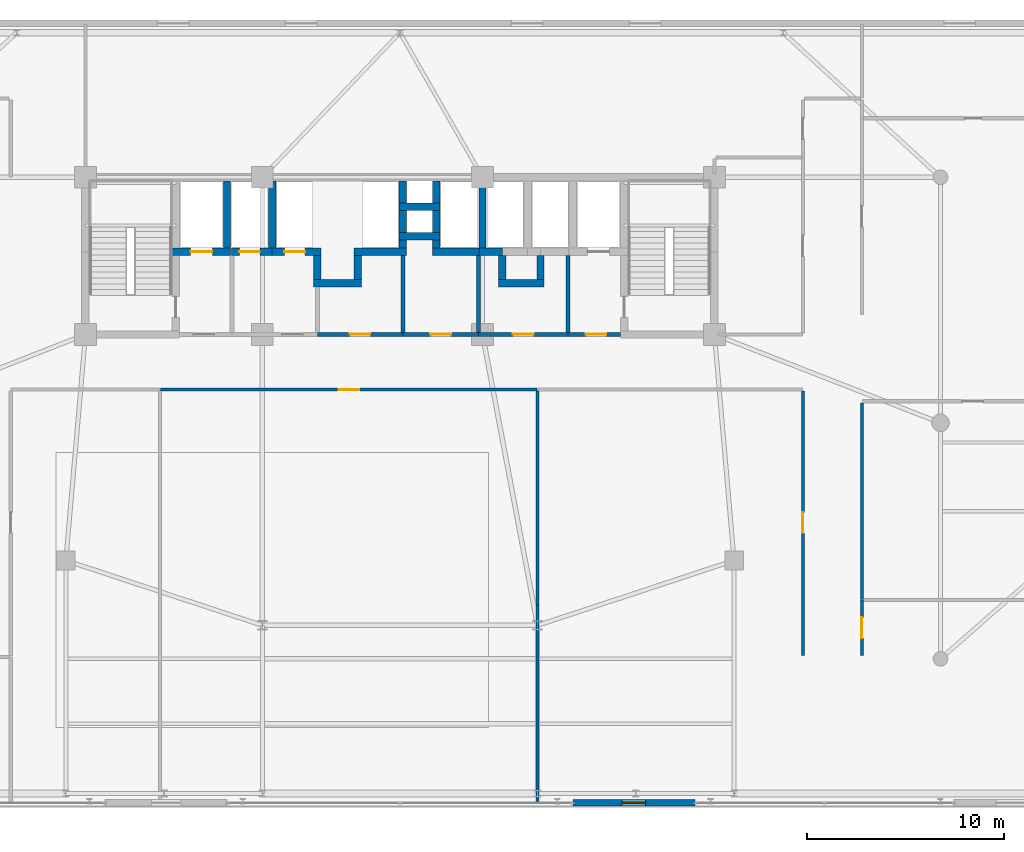
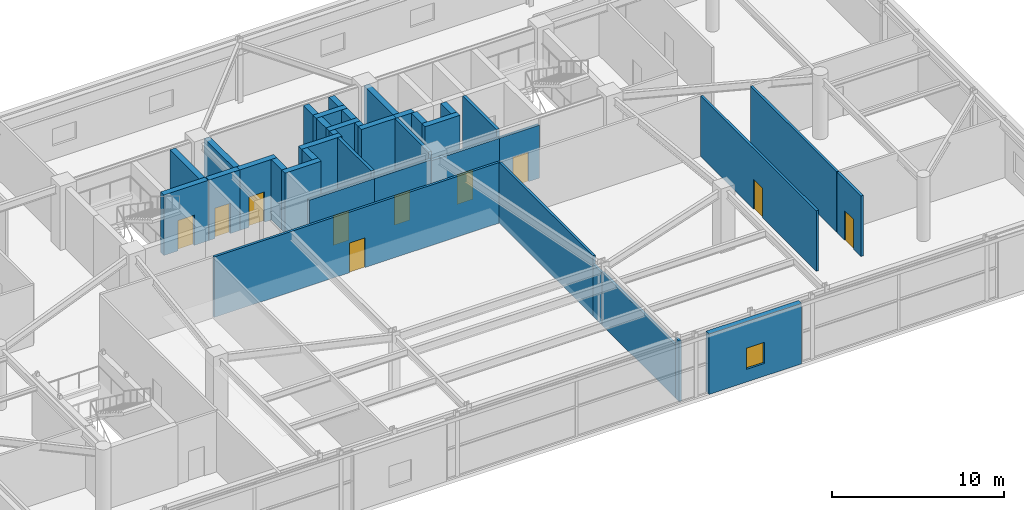
# One storey, part 21 of 26: 39 walls, 10 doors, 1 window, 11 openings.
"""IFC4 building model written with IfcOpenShell, lengths in metres."""

from ifc_helpers import new_model, si_unit, direction, frame, frame_2d, origin, place, context, subcontext, project, spatial, rectangle, extrude, source, transform, mapped, material, layer, layer_set, type_object, element, fill, save


model = new_model("IFC4")

# Units and contexts
model_context = context("Model", 3, precision=1e-05, world=origin(), true_north=direction((0.0, 1.0)))
body_context = subcontext(model_context, "Body", "Model", "MODEL_VIEW")
ifc_project = project(units=[si_unit("LENGTHUNIT", "METRE"), si_unit("AREAUNIT", "SQUARE_METRE"), si_unit("VOLUMEUNIT", "CUBIC_METRE"), si_unit("PLANEANGLEUNIT", "RADIAN"), si_unit("MASSUNIT", "GRAM", prefix="KILO")], contexts=[model_context])

# Site, building, storey
site_placement = place(None, origin())
site = spatial("IfcSite", under=ifc_project, at=site_placement, CompositionType="ELEMENT")
building_placement = place(site_placement, origin())
building = spatial("IfcBuilding", under=site, at=building_placement, Name="Taldren Reach Tower", CompositionType="ELEMENT")
storey_placement = place(building_placement, frame((0.0, 0.0, 8.39990234375)))
storey = spatial("IfcBuildingStorey", under=building, at=storey_placement, Name="L02", CompositionType="ELEMENT", Elevation=8.39990234375)

# Wall, opening, window
ifc_material_1 = material(Name="Pale Champagne Anodised Aluminium Cladding", Category="aluminium")
ifc_layer_1 = layer(ifc_material_1, 0.04, Name="Pale Champagne Anodised Aluminium Cladding", Category="aluminium")
ifc_material_2 = material(Name="Mineral Wool Thermal Insulation", Category="insulation")
ifc_layer_2 = layer(ifc_material_2, 0.08, Name="Mineral Wool Thermal Insulation", Category="insulation")
ifc_material_3 = material(Name="Concrete S50 (50 MPa)", Category="concrete")
ifc_layer_3 = layer(ifc_material_3, 0.22, Name="Concrete S50 (50 MPa)", Category="concrete")
ifc_layer_set_1 = layer_set([ifc_layer_1, ifc_layer_2, ifc_layer_3], Name="Pale Champagne Aluminium Cladding and Precast Concrete 50 MPa (S50)")
wall_type_1 = type_object("IfcWallType", Name="EW-POD-340", PredefinedType="SOLIDWALL", material=ifc_layer_set_1)
shared_shape_1 = source(origin(), body_context, "Body", "SweptSolid", [
    extrude(rectangle(XDim=6.199951171875, YDim=0.340087890625, at=frame_2d((3.10009765625, 0.0))), origin(), (0.0, 0.0, 1.0), 4.2900390625),
])
wall_1_placement = place(storey_placement, frame((43.800048828125, 0.169921875, 0.0), z_axis=(0.0, 0.0, 1.0), x_axis=(1.0, 0.0, 0.0)))
wall_1 = element("IfcWall", 1, at=wall_1_placement, inside=storey, type_object=wall_type_1, Name="Podium south facade wall L02-S3", PredefinedType="SOLIDWALL", context=body_context, shape_type="MappedRepresentation", body=[
    mapped(shared_shape_1, transform((0.0, 0.0, 0.0), scale=1.0)),
])
shared_shape_2 = source(origin(), body_context, "Body", "SweptSolid", [
    extrude(rectangle(XDim=1.199951171875, YDim=1.5, at=frame_2d((0.60009765625, 0.75))), frame((0.0, 0.18017578125, 0.0), z_axis=(0.0, -1.0, 0.0), x_axis=(1.0, 0.0, 0.0)), (0.0, 0.0, 1.0), 0.360107421875),
])
opening_1_placement = place(wall_1_placement, frame((2.5, 0.0, 0.89990234375)))
opening_1 = element("IfcOpeningElement", 2, at=opening_1_placement, cuts=wall_1, Name="Opening W-1215", PredefinedType="OPENING", context=body_context, shape_type="MappedRepresentation", body=[
    mapped(shared_shape_2, transform((0.0, 0.0, 0.0), scale=1.0)),
])
ifc_material_4 = material(Name="Thermally Broken Aluminium and Low-E IGU", Category="aluminium")
window_type = type_object("IfcWindowType", Name="WN-POD-1200", PartitioningType="SINGLE_PANEL", PredefinedType="WINDOW", material=ifc_material_4)
shared_shape_3 = source(origin(), body_context, "Body", "SweptSolid", [
    extrude(rectangle(XDim=1.199951171875, YDim=1.5, at=frame_2d((0.60009765625, 0.75))), frame((0.0, 0.030029296875, 0.0), z_axis=(0.0, -1.0, 0.0), x_axis=(1.0, 0.0, 0.0)), (0.0, 0.0, 1.0), 0.06005859375),
])
window_placement = place(opening_1_placement, origin())
window = element("IfcWindow", 3, at=window_placement, inside=storey, type_object=window_type, Name="Podium clinical window L02-S3", OverallHeight=1.5, OverallWidth=1.199951171875, PartitioningType="SINGLE_PANEL", PredefinedType="WINDOW", context=body_context, shape_type="MappedRepresentation", body=[
    mapped(shared_shape_3, transform((0.0, 0.0, 0.0), scale=1.0)),
])
fill(opening_1, window)

# Walls
ifc_material_5 = material(Name="Concrete S80 (80 MPa)", Category="concrete")
ifc_layer_4 = layer(ifc_material_5, 0.3798828125)
ifc_layer_set_2 = layer_set([ifc_layer_4], Name="Concrete S80 (80 MPa)")
wall_type_2 = type_object("IfcWallType", Name="IW-CORE-380", PredefinedType="SHEAR", material=ifc_layer_set_2)
shared_shape_4 = source(origin(), body_context, "Body", "SweptSolid", [
    extrude(rectangle(XDim=3.420166015625, YDim=0.3798828125, at=frame_2d((1.7099609375, 0.0))), origin(), (0.0, 0.0, 1.0), 4.2900390625),
])
for number, where, z_axis, x_axis, name in (
    (4, (26.199951171875, 28.389892578125, 0.0), (0.0, 0.0, 1.0), (0.0, 1.0, 0.0), "Rear Core Shear Wall W-INT-L02-005"),
    (5, (28.5, 28.389892578125, 0.0), (0.0, 0.0, 1.0), (0.0, 1.0, 0.0), "Rear Core Shear Wall W-INT-L02-029"),
    (6, (39.199951171875, 28.389892578125, 0.0), (0.0, 0.0, 1.0), (0.0, 1.0, 0.0), "Rear Core Shear Wall W-INT-L02-036"),
):
    element("IfcWall", number, at=place(storey_placement, frame(where, z_axis=z_axis, x_axis=x_axis)), inside=storey, type_object=wall_type_2, Name=name, PredefinedType="SHEAR", context=body_context, shape_type="MappedRepresentation", body=[
        mapped(shared_shape_4, transform((0.0, 0.0, 0.0), scale=1.0)),
    ])

# Wall, opening, door
shared_shape_5 = source(origin(), body_context, "Body", "SweptSolid", [
    extrude(rectangle(XDim=2.97998046875, YDim=0.3798828125, at=frame_2d((1.489990234375, 0.0))), origin(), (0.0, 0.0, 1.0), 4.2900390625),
])
wall_2_placement = place(storey_placement, frame((23.409912109375, 28.199951171875, 0.0), z_axis=(0.0, 0.0, 1.0), x_axis=(1.0, 0.0, 0.0)))
wall_2 = element("IfcWall", 7, at=wall_2_placement, inside=storey, type_object=wall_type_2, Name="Rear Core Shear Wall W-INT-L02-004", PredefinedType="SHEAR", context=body_context, shape_type="MappedRepresentation", body=[
    mapped(shared_shape_5, transform((0.0, 0.0, 0.0), scale=1.0)),
])
shared_shape_6 = source(origin(), body_context, "Body", "SweptSolid", [
    extrude(rectangle(XDim=1.10009765625, YDim=2.14990234375, at=frame_2d((0.550048828125, 1.074951171875))), frame((0.0, 0.199951171875, 0.0), z_axis=(0.0, -1.0, 0.0), x_axis=(1.0, 0.0, 0.0)), (0.0, 0.0, 1.0), 0.39990234375),
])
opening_2_placement = place(wall_2_placement, frame((0.93994140625, 0.0, 0.0)))
opening_2 = element("IfcOpeningElement", 8, at=opening_2_placement, cuts=wall_2, Name="Opening LD-FL1", PredefinedType="OPENING", context=body_context, shape_type="MappedRepresentation", body=[
    mapped(shared_shape_6, transform((0.0, 0.0, 0.0), scale=1.0)),
])
ifc_material_6 = material(Name="Stainless Steel Gr 316 Emergency Lift Landing Door", Category="steel")
door_type_1 = type_object("IfcDoorType", Name="LD-EMG-110", OperationType="SLIDING_TO_LEFT", PredefinedType="DOOR", material=ifc_material_6)
shared_shape_7 = source(origin(), body_context, "Body", "SweptSolid", [
    extrude(rectangle(XDim=1.10009765625, YDim=2.14990234375, at=frame_2d((0.550048828125, 1.074951171875))), frame((0.0, 0.02490234375, 0.0), z_axis=(0.0, -1.0, 0.0), x_axis=(1.0, 0.0, 0.0)), (0.0, 0.0, 1.0), 0.050048828125),
])
door_1_placement = place(opening_2_placement, origin())
door_1 = element("IfcDoor", 9, at=door_1_placement, inside=storey, type_object=door_type_1, Name="Lift Landing Door LD-FL1-L02", OperationType="SLIDING_TO_LEFT", OverallHeight=2.14990234375, OverallWidth=1.10009765625, PredefinedType="DOOR", context=body_context, shape_type="MappedRepresentation", body=[
    mapped(shared_shape_7, transform((0.0, 0.0, 0.0), scale=1.0)),
])
fill(opening_2, door_1)

# Walls
ifc_layer_5 = layer(ifc_material_3, 0.199951171875)
ifc_layer_set_3 = layer_set([ifc_layer_5], Name="Concrete S50 (50 MPa)")
wall_type_3 = type_object("IfcWallType", Name="IW-CORE-200", PredefinedType="SOLIDWALL", material=ifc_layer_set_3)
shared_shape_8 = source(origin(), body_context, "Body", "SweptSolid", [
    extrude(rectangle(XDim=3.909912109375, YDim=0.199951171875, at=frame_2d((1.955078125, 0.0))), origin(), (0.0, 0.0, 1.0), 4.2900390625),
])
for number, where, z_axis, x_axis, name in (
    (10, (43.550048828125, 28.010009765625, 0.0), (0.0, 0.0, 1.0), (0.0, -1.0, 0.0), "Rear Core Shear Wall W-INT-L02-013"),
    (11, (35.14990234375, 28.010009765625, 0.0), (0.0, 0.0, 1.0), (0.0, -1.0, 0.0), "Rear Core Shear Wall W-INT-L02-042"),
    (12, (39.0, 28.010009765625, 0.0), (0.0, 0.0, 1.0), (0.0, -1.0, 0.0), "Rear Core Shear Wall W-INT-L02-044"),
):
    element("IfcWall", number, at=place(storey_placement, frame(where, z_axis=z_axis, x_axis=x_axis)), inside=storey, type_object=wall_type_3, Name=name, PredefinedType="SOLIDWALL", context=body_context, shape_type="MappedRepresentation", body=[
        mapped(shared_shape_8, transform((0.0, 0.0, 0.0), scale=1.0)),
    ])

# Wall, opening, door
shared_shape_9 = source(origin(), body_context, "Body", "SweptSolid", [
    extrude(rectangle(XDim=2.659912109375, YDim=0.199951171875, at=frame_2d((1.330078125, 0.0))), origin(), (0.0, 0.0, 1.0), 3.757080078125),
])
wall_3_placement = place(storey_placement, frame((43.550048828125, 24.0, 0.0), z_axis=(0.0, 0.0, 1.0), x_axis=(1.0, 0.0, 0.0)))
wall_3 = element("IfcWall", 13, at=wall_3_placement, inside=storey, type_object=wall_type_3, Name="Rear Core Shear Wall W-INT-L02-014", PredefinedType="SOLIDWALL", context=body_context, shape_type="MappedRepresentation", body=[
    mapped(shared_shape_9, transform((0.0, 0.0, 0.0), scale=1.0)),
])
shared_shape_10 = source(origin(), body_context, "Body", "SweptSolid", [
    extrude(rectangle(XDim=1.050048828125, YDim=2.10009765625, at=frame_2d((0.52490234375, 1.050048828125))), frame((0.0, 0.10986328125, 0.0), z_axis=(0.0, -1.0, 0.0), x_axis=(1.0, 0.0, 0.0)), (0.0, 0.0, 1.0), 0.219970703125),
])
opening_3_placement = place(wall_3_placement, frame((0.89990234375, 0.0, 0.0)))
opening_3 = element("IfcOpeningElement", 14, at=opening_3_placement, cuts=wall_3, Name="Opening DF-105", PredefinedType="OPENING", context=body_context, shape_type="MappedRepresentation", body=[
    mapped(shared_shape_10, transform((0.0, 0.0, 0.0), scale=1.0)),
])
ifc_material_7 = material(Name="Fire-Rated Care and Stair Exit Door")
door_type_2 = type_object("IfcDoorType", Name="ID-FIRE-105", OperationType="NOTDEFINED", PredefinedType="DOOR", material=ifc_material_7)
shared_shape_11 = source(origin(), body_context, "Body", "SweptSolid", [
    extrude(rectangle(XDim=1.050048828125, YDim=2.10009765625, at=frame_2d((0.52490234375, 1.050048828125))), frame((0.0, 0.02490234375, 0.0), z_axis=(0.0, -1.0, 0.0), x_axis=(1.0, 0.0, 0.0)), (0.0, 0.0, 1.0), 0.050048828125),
])
door_2_placement = place(opening_3_placement, origin())
door_2 = element("IfcDoor", 15, at=door_2_placement, inside=storey, type_object=door_type_2, Name="Interior Door DR-L02-004", OperationType="SINGLE_SWING_LEFT", OverallHeight=2.10009765625, OverallWidth=1.050048828125, PredefinedType="DOOR", context=body_context, shape_type="MappedRepresentation", body=[
    mapped(shared_shape_11, transform((0.0, 0.0, 0.0), scale=1.0)),
])
fill(opening_3, door_2)

# Walls
shared_shape_12 = source(origin(), body_context, "Body", "SweptSolid", [
    extrude(rectangle(XDim=2.080078125, YDim=0.3798828125, at=frame_2d((1.0400390625, 0.0))), origin(), (0.0, 0.0, 1.0), 4.2900390625),
])
for number, where, z_axis, x_axis, name in (
    (16, (34.9599609375, 30.5, 0.0), (0.0, 0.0, 1.0), (1.0, 0.0, 0.0), "Rear Core Shear Wall W-INT-L02-015"),
    (17, (34.9599609375, 29.0, 0.0), (0.0, 0.0, 1.0), (1.0, 0.0, 0.0), "Rear Core Shear Wall W-INT-L02-020"),
):
    element("IfcWall", number, at=place(storey_placement, frame(where, z_axis=z_axis, x_axis=x_axis)), inside=storey, type_object=wall_type_2, Name=name, PredefinedType="SHEAR", context=body_context, shape_type="MappedRepresentation", body=[
        mapped(shared_shape_12, transform((0.0, 0.0, 0.0), scale=1.0)),
    ])
shared_shape_13 = source(origin(), body_context, "Body", "SweptSolid", [
    extrude(rectangle(XDim=1.1201171875, YDim=0.3798828125, at=frame_2d((0.56005859375, 0.0))), origin(), (0.0, 0.0, 1.0), 4.2900390625),
])
for number, where, z_axis, x_axis, name in (
    (18, (35.14990234375, 31.81005859375, 0.0), (0.0, 0.0, 1.0), (0.0, -1.0, 0.0), "Rear Core Shear Wall W-INT-L02-016"),
    (19, (36.85009765625, 30.68994140625, 0.0), (0.0, 0.0, 1.0), (0.0, 1.0, 0.0), "Rear Core Shear Wall W-INT-L02-017"),
    (20, (35.14990234375, 30.31005859375, 0.0), (0.0, 0.0, 1.0), (0.0, -1.0, 0.0), "Rear Core Shear Wall W-INT-L02-018"),
    (21, (36.85009765625, 29.18994140625, 0.0), (0.0, 0.0, 1.0), (0.0, 1.0, 0.0), "Rear Core Shear Wall W-INT-L02-019"),
):
    element("IfcWall", number, at=place(storey_placement, frame(where, z_axis=z_axis, x_axis=x_axis)), inside=storey, type_object=wall_type_2, Name=name, PredefinedType="SHEAR", context=body_context, shape_type="MappedRepresentation", body=[
        mapped(shared_shape_13, transform((0.0, 0.0, 0.0), scale=1.0)),
    ])

# Wall, opening, door
shared_shape_14 = source(origin(), body_context, "Body", "SweptSolid", [
    extrude(rectangle(XDim=2.070068359375, YDim=0.3798828125, at=frame_2d((1.03515625, 0.0))), origin(), (0.0, 0.0, 1.0), 4.2900390625),
])
wall_4_placement = place(storey_placement, frame((26.429931640625, 28.199951171875, 0.0), z_axis=(0.0, 0.0, 1.0), x_axis=(1.0, 0.0, 0.0)))
wall_4 = element("IfcWall", 22, at=wall_4_placement, inside=storey, type_object=wall_type_2, Name="Rear Core Shear Wall W-INT-L02-030", PredefinedType="SHEAR", context=body_context, shape_type="MappedRepresentation", body=[
    mapped(shared_shape_14, transform((0.0, 0.0, 0.0), scale=1.0)),
])
shared_shape_15 = source(origin(), body_context, "Body", "SweptSolid", [
    extrude(rectangle(XDim=1.050048828125, YDim=2.14990234375, at=frame_2d((0.52490234375, 1.074951171875))), frame((0.0, 0.199951171875, 0.0), z_axis=(0.0, -1.0, 0.0), x_axis=(1.0, 0.0, 0.0)), (0.0, 0.0, 1.0), 0.39990234375),
])
opening_4_placement = place(wall_4_placement, frame((0.39501953125, 0.0, 0.0)))
opening_4 = element("IfcOpeningElement", 23, at=opening_4_placement, cuts=wall_4, Name="Opening LD-PL1", PredefinedType="OPENING", context=body_context, shape_type="MappedRepresentation", body=[
    mapped(shared_shape_15, transform((0.0, 0.0, 0.0), scale=1.0)),
])
ifc_material_8 = material(Name="Stainless Steel Gr 316 Passenger Lift Landing Door", Category="steel")
door_type_3 = type_object("IfcDoorType", Name="LD-PAS-105", OperationType="SLIDING_TO_LEFT", PredefinedType="DOOR", material=ifc_material_8)
shared_shape_16 = source(origin(), body_context, "Body", "SweptSolid", [
    extrude(rectangle(XDim=1.050048828125, YDim=2.14990234375, at=frame_2d((0.52490234375, 1.074951171875))), frame((0.0, 0.02490234375, 0.0), z_axis=(0.0, -1.0, 0.0), x_axis=(1.0, 0.0, 0.0)), (0.0, 0.0, 1.0), 0.050048828125),
])
door_3_placement = place(opening_4_placement, origin())
door_3 = element("IfcDoor", 24, at=door_3_placement, inside=storey, type_object=door_type_3, Name="Lift Landing Door LD-PL1-L02", OperationType="SLIDING_TO_LEFT", OverallHeight=2.14990234375, OverallWidth=1.050048828125, PredefinedType="DOOR", context=body_context, shape_type="MappedRepresentation", body=[
    mapped(shared_shape_16, transform((0.0, 0.0, 0.0), scale=1.0)),
])
fill(opening_4, door_3)

shared_shape_17 = source(origin(), body_context, "Body", "SweptSolid", [
    extrude(rectangle(XDim=2.489990234375, YDim=0.3798828125, at=frame_2d((1.2451171875, 0.0))), origin(), (0.0, 0.0, 1.0), 4.2900390625),
])
wall_5_placement = place(storey_placement, frame((28.5, 28.199951171875, 0.0), z_axis=(0.0, 0.0, 1.0), x_axis=(1.0, 0.0, 0.0)))
wall_5 = element("IfcWall", 25, at=wall_5_placement, inside=storey, type_object=wall_type_2, Name="Rear Core Shear Wall W-INT-L02-031", PredefinedType="SHEAR", context=body_context, shape_type="MappedRepresentation", body=[
    mapped(shared_shape_17, transform((0.0, 0.0, 0.0), scale=1.0)),
])
opening_5_placement = place(wall_5_placement, frame((0.625, 0.0, 0.0)))
opening_5 = element("IfcOpeningElement", 26, at=opening_5_placement, cuts=wall_5, Name="Opening LD-PL2", PredefinedType="OPENING", context=body_context, shape_type="MappedRepresentation", body=[
    mapped(shared_shape_15, transform((0.0, 0.0, 0.0), scale=1.0)),
])
door_4_placement = place(opening_5_placement, origin())
door_4 = element("IfcDoor", 27, at=door_4_placement, inside=storey, type_object=door_type_3, Name="Lift Landing Door LD-PL2-L02", OperationType="SLIDING_TO_LEFT", OverallHeight=2.14990234375, OverallWidth=1.050048828125, PredefinedType="DOOR", context=body_context, shape_type="MappedRepresentation", body=[
    mapped(shared_shape_16, transform((0.0, 0.0, 0.0), scale=1.0)),
])
fill(opening_5, door_4)

# Walls
shared_shape_18 = source(origin(), body_context, "Body", "SweptSolid", [
    extrude(rectangle(XDim=2.68017578125, YDim=0.3798828125, at=frame_2d((1.340087890625, 0.0))), origin(), (0.0, 0.0, 1.0), 4.2900390625),
])
wall_6_placement = place(storey_placement, frame((32.659912109375, 28.199951171875, 0.0), z_axis=(0.0, 0.0, 1.0), x_axis=(1.0, 0.0, 0.0)))
element("IfcWall", 28, at=wall_6_placement, inside=storey, type_object=wall_type_2, Name="Rear Core Shear Wall W-INT-L02-034", PredefinedType="SHEAR", context=body_context, shape_type="MappedRepresentation", body=[
    mapped(shared_shape_18, transform((0.0, 0.0, 0.0), scale=1.0)),
])
shared_shape_19 = source(origin(), body_context, "Body", "SweptSolid", [
    extrude(rectangle(XDim=0.420166015625, YDim=0.3798828125, at=frame_2d((0.2099609375, 0.0))), origin(), (0.0, 0.0, 1.0), 4.2900390625),
])
for number, where, z_axis, x_axis, name in (
    (29, (35.14990234375, 28.389892578125, 0.0), (0.0, 0.0, 1.0), (0.0, 1.0, 0.0), "Rear Core Shear Wall W-INT-L02-035"),
    (30, (36.85009765625, 28.81005859375, 0.0), (0.0, 0.0, 1.0), (0.0, -1.0, 0.0), "Rear Core Shear Wall W-INT-L02-038"),
):
    element("IfcWall", number, at=place(storey_placement, frame(where, z_axis=z_axis, x_axis=x_axis)), inside=storey, type_object=wall_type_2, Name=name, PredefinedType="SHEAR", context=body_context, shape_type="MappedRepresentation", body=[
        mapped(shared_shape_19, transform((0.0, 0.0, 0.0), scale=1.0)),
    ])

# Wall, opening, door
ifc_material_9 = material(Name="Fire-Rated Acoustic Plasterboard Stud Wall", Category="gypsum")
ifc_layer_6 = layer(ifc_material_9, 0.159912109375)
ifc_layer_set_4 = layer_set([ifc_layer_6], Name="Fire-Rated Acoustic Plasterboard Stud Wall")
wall_type_4 = type_object("IfcWallType", Name="IW-FIRE-160", PredefinedType="PARTITIONING", material=ifc_layer_set_4)
shared_shape_20 = source(origin(), body_context, "Body", "SweptSolid", [
    extrude(rectangle(XDim=13.440185546875, YDim=0.159912109375, at=frame_2d((6.72021484375, 0.0))), origin(), (0.0, 0.0, 1.0), 4.2900390625),
])
wall_7_placement = place(storey_placement, frame((55.5, 7.679931640625, 0.0), z_axis=(0.0, 0.0, 1.0), x_axis=(0.0, 1.0, 0.0)))
wall_7 = element("IfcWall", 31, at=wall_7_placement, inside=storey, type_object=wall_type_4, Name="Interior Partition Wall W-INT-L02-054", PredefinedType="PARTITIONING", context=body_context, shape_type="MappedRepresentation", body=[
    mapped(shared_shape_20, transform((0.0, 0.0, 0.0), scale=1.0)),
])
shared_shape_21 = source(origin(), body_context, "Body", "SweptSolid", [
    extrude(rectangle(XDim=1.050048828125, YDim=2.10009765625, at=frame_2d((0.52490234375, 1.050048828125))), frame((0.0, 0.08984375, 0.0), z_axis=(0.0, -1.0, 0.0), x_axis=(1.0, 0.0, 0.0)), (0.0, 0.0, 1.0), 0.179931640625),
])
opening_6_placement = place(wall_7_placement, frame((6.224853515625, 0.0, 0.0)))
opening_6 = element("IfcOpeningElement", 32, at=opening_6_placement, cuts=wall_7, Name="Opening DF-105", PredefinedType="OPENING", context=body_context, shape_type="MappedRepresentation", body=[
    mapped(shared_shape_21, transform((0.0, 0.0, 0.0), scale=1.0)),
])
door_5_placement = place(opening_6_placement, origin())
door_5 = element("IfcDoor", 33, at=door_5_placement, inside=storey, type_object=door_type_2, Name="Interior Door DR-L02-012", OperationType="SINGLE_SWING_LEFT", OverallHeight=2.10009765625, OverallWidth=1.050048828125, PredefinedType="DOOR", context=body_context, shape_type="MappedRepresentation", body=[
    mapped(shared_shape_11, transform((0.0, 0.0, 0.0), scale=1.0)),
])
fill(opening_6, door_5)

# Walls
shared_shape_22 = source(origin(), body_context, "Body", "SweptSolid", [
    extrude(rectangle(XDim=0.419921875, YDim=0.159912109375, at=frame_2d((0.2099609375, 0.0))), origin(), (0.0, 0.0, 1.0), 4.2900390625),
])
wall_8_placement = place(storey_placement, frame((42.0, 0.64990234375, 0.0), z_axis=(0.0, 0.0, 1.0), x_axis=(0.0, -1.0, 0.0)))
element("IfcWall", 34, at=wall_8_placement, inside=storey, type_object=wall_type_4, Name="Interior Partition Wall W-INT-L02-074 part 4", PredefinedType="PARTITIONING", context=body_context, shape_type="MappedRepresentation", body=[
    mapped(shared_shape_22, transform((0.0, 0.0, 0.0), scale=1.0)),
])
shared_shape_23 = source(origin(), body_context, "Body", "SweptSolid", [
    extrude(rectangle(XDim=10.884033203125, YDim=0.159912109375, at=frame_2d((5.44189453125, 0.0))), origin(), (0.0, 0.0, 1.0), 4.2900390625),
])
wall_9_placement = place(storey_placement, frame((42.0, 21.1201171875, 0.0), z_axis=(0.0, 0.0, 1.0), x_axis=(0.0, -1.0, 0.0)))
element("IfcWall", 35, at=wall_9_placement, inside=storey, type_object=wall_type_4, Name="Interior Partition Wall W-INT-L02-074", PredefinedType="PARTITIONING", context=body_context, shape_type="MappedRepresentation", body=[
    mapped(shared_shape_23, transform((0.0, 0.0, 0.0), scale=1.0)),
])
shared_shape_24 = source(origin(), body_context, "Body", "SweptSolid", [
    extrude(rectangle(XDim=1.05126953125, YDim=0.159912109375, at=frame_2d((0.525634765625, 0.0))), origin(), (0.0, 0.0, 1.0), 3.68798828125),
])
wall_10_placement = place(storey_placement, frame((42.0, 10.236083984375, 0.0), z_axis=(0.0, 0.0, 1.0), x_axis=(0.0, -1.0, 0.0)))
element("IfcWall", 36, at=wall_10_placement, inside=storey, type_object=wall_type_4, Name="Interior Partition Wall W-INT-L02-074 part 2", PredefinedType="PARTITIONING", context=body_context, shape_type="MappedRepresentation", body=[
    mapped(shared_shape_24, transform((0.0, 0.0, 0.0), scale=1.0)),
])
shared_shape_25 = source(origin(), body_context, "Body", "SweptSolid", [
    extrude(rectangle(XDim=8.534912109375, YDim=0.159912109375, at=frame_2d((4.267578125, 0.0))), origin(), (0.0, 0.0, 1.0), 3.757080078125),
])
wall_11_placement = place(storey_placement, frame((42.0, 9.184814453125, 0.0), z_axis=(0.0, 0.0, 1.0), x_axis=(0.0, -1.0, 0.0)))
element("IfcWall", 37, at=wall_11_placement, inside=storey, type_object=wall_type_4, Name="Interior Partition Wall W-INT-L02-074 part 3", PredefinedType="PARTITIONING", context=body_context, shape_type="MappedRepresentation", body=[
    mapped(shared_shape_25, transform((0.0, 0.0, 0.0), scale=1.0)),
])
shared_shape_26 = source(origin(), body_context, "Body", "SweptSolid", [
    extrude(rectangle(XDim=1.219970703125, YDim=0.3798828125, at=frame_2d((0.60986328125, 0.0))), origin(), (0.0, 0.0, 1.0), 4.2900390625),
])
for number, where, z_axis, x_axis, name in (
    (38, (30.800048828125, 28.010009765625, 0.0), (0.0, 0.0, 1.0), (0.0, -1.0, 0.0), "Rear Core Shear Wall W-INT-L02-021"),
    (39, (32.85009765625, 26.7900390625, 0.0), (0.0, 0.0, 1.0), (0.0, 1.0, 0.0), "Rear Core Shear Wall W-INT-L02-023"),
    (40, (40.199951171875, 28.010009765625, 0.0), (0.0, 0.0, 1.0), (0.0, -1.0, 0.0), "Rear Core Shear Wall W-INT-L02-027"),
    (41, (42.14990234375, 26.7900390625, 0.0), (0.0, 0.0, 1.0), (0.0, 1.0, 0.0), "Rear Core Shear Wall W-INT-L02-028"),
):
    element("IfcWall", number, at=place(storey_placement, frame(where, z_axis=z_axis, x_axis=x_axis)), inside=storey, type_object=wall_type_2, Name=name, PredefinedType="SHEAR", context=body_context, shape_type="MappedRepresentation", body=[
        mapped(shared_shape_26, transform((0.0, 0.0, 0.0), scale=1.0)),
    ])
shared_shape_27 = source(origin(), body_context, "Body", "SweptSolid", [
    extrude(rectangle(XDim=2.429931640625, YDim=0.3798828125, at=frame_2d((1.21484375, 0.0))), origin(), (0.0, 0.0, 1.0), 4.2900390625),
])
wall_12_placement = place(storey_placement, frame((30.610107421875, 26.60009765625, 0.0), z_axis=(0.0, 0.0, 1.0), x_axis=(1.0, 0.0, 0.0)))
element("IfcWall", 42, at=wall_12_placement, inside=storey, type_object=wall_type_2, Name="Rear Core Shear Wall W-INT-L02-022", PredefinedType="SHEAR", context=body_context, shape_type="MappedRepresentation", body=[
    mapped(shared_shape_27, transform((0.0, 0.0, 0.0), scale=1.0)),
])
shared_shape_28 = source(origin(), body_context, "Body", "SweptSolid", [
    extrude(rectangle(XDim=2.330078125, YDim=0.3798828125, at=frame_2d((1.1650390625, 0.0))), origin(), (0.0, 0.0, 1.0), 4.2900390625),
])
wall_13_placement = place(storey_placement, frame((40.010009765625, 26.60009765625, 0.0), z_axis=(0.0, 0.0, 1.0), x_axis=(1.0, 0.0, 0.0)))
element("IfcWall", 43, at=wall_13_placement, inside=storey, type_object=wall_type_2, Name="Rear Core Shear Wall W-INT-L02-026", PredefinedType="SHEAR", context=body_context, shape_type="MappedRepresentation", body=[
    mapped(shared_shape_28, transform((0.0, 0.0, 0.0), scale=1.0)),
])
shared_shape_29 = source(origin(), body_context, "Body", "SweptSolid", [
    extrude(rectangle(XDim=2.360107421875, YDim=0.3798828125, at=frame_2d((1.18017578125, 0.0))), origin(), (0.0, 0.0, 1.0), 4.2900390625),
])
wall_14_placement = place(storey_placement, frame((36.659912109375, 28.199951171875, 0.0), z_axis=(0.0, 0.0, 1.0), x_axis=(1.0, 0.0, 0.0)))
element("IfcWall", 44, at=wall_14_placement, inside=storey, type_object=wall_type_2, Name="Rear Core Shear Wall W-INT-L02-037", PredefinedType="SHEAR", context=body_context, shape_type="MappedRepresentation", body=[
    mapped(shared_shape_29, transform((0.0, 0.0, 0.0), scale=1.0)),
])
shared_shape_30 = source(origin(), body_context, "Body", "SweptSolid", [
    extrude(rectangle(XDim=1.2099609375, YDim=0.3798828125, at=frame_2d((0.60498046875, 0.0))), origin(), (0.0, 0.0, 1.0), 4.2900390625),
])
wall_15_placement = place(storey_placement, frame((39.010009765625, 28.199951171875, 0.0), z_axis=(0.0, 0.0, 1.0), x_axis=(1.0, 0.0, 0.0)))
element("IfcWall", 45, at=wall_15_placement, inside=storey, type_object=wall_type_2, Name="Rear Core Shear Wall W-INT-L02-040", PredefinedType="SHEAR", context=body_context, shape_type="MappedRepresentation", body=[
    mapped(shared_shape_30, transform((0.0, 0.0, 0.0), scale=1.0)),
])

# Wall, opening, door
shared_shape_31 = source(origin(), body_context, "Body", "SweptSolid", [
    extrude(rectangle(XDim=4.349853515625, YDim=0.199951171875, at=frame_2d((2.1748046875, 0.0))), origin(), (0.0, 0.0, 1.0), 3.830078125),
])
wall_16_placement = place(storey_placement, frame((35.14990234375, 24.0, 0.0), z_axis=(0.0, 0.0, 1.0), x_axis=(-1.0, 0.0, 0.0)))
wall_16 = element("IfcWall", 46, at=wall_16_placement, inside=storey, type_object=wall_type_3, Name="Rear Core Shear Wall W-INT-L02-043", PredefinedType="SOLIDWALL", context=body_context, shape_type="MappedRepresentation", body=[
    mapped(shared_shape_31, transform((0.0, 0.0, 0.0), scale=1.0)),
])
opening_7_placement = place(wall_16_placement, frame((1.64990234375, 0.0, 0.0)))
opening_7 = element("IfcOpeningElement", 47, at=opening_7_placement, cuts=wall_16, Name="Opening DF-105", PredefinedType="OPENING", context=body_context, shape_type="MappedRepresentation", body=[
    mapped(shared_shape_10, transform((0.0, 0.0, 0.0), scale=1.0)),
])
door_6_placement = place(opening_7_placement, frame((1.050048828125, 0.0, 0.0), z_axis=(0.0, 0.0, 1.0), x_axis=(-1.0, 0.0, 0.0)))
door_6 = element("IfcDoor", 48, at=door_6_placement, inside=storey, type_object=door_type_2, Name="Interior Door DR-L02-006", OperationType="SINGLE_SWING_RIGHT", OverallHeight=2.10009765625, OverallWidth=1.050048828125, PredefinedType="DOOR", context=body_context, shape_type="MappedRepresentation", body=[
    mapped(shared_shape_11, transform((0.0, 0.0, 0.0), scale=1.0)),
])
fill(opening_7, door_6)

shared_shape_32 = source(origin(), body_context, "Body", "SweptSolid", [
    extrude(rectangle(XDim=3.85009765625, YDim=0.199951171875, at=frame_2d((1.925048828125, 0.0))), origin(), (0.0, 0.0, 1.0), 3.830078125),
])
wall_17_placement = place(storey_placement, frame((39.0, 24.0, 0.0), z_axis=(0.0, 0.0, 1.0), x_axis=(-1.0, 0.0, 0.0)))
wall_17 = element("IfcWall", 49, at=wall_17_placement, inside=storey, type_object=wall_type_3, Name="Rear Core Shear Wall W-INT-L02-045", PredefinedType="SOLIDWALL", context=body_context, shape_type="MappedRepresentation", body=[
    mapped(shared_shape_32, transform((0.0, 0.0, 0.0), scale=1.0)),
])
opening_8_placement = place(wall_17_placement, frame((1.39990234375, 0.0, 0.0)))
opening_8 = element("IfcOpeningElement", 50, at=opening_8_placement, cuts=wall_17, Name="Opening DF-105", PredefinedType="OPENING", context=body_context, shape_type="MappedRepresentation", body=[
    mapped(shared_shape_10, transform((0.0, 0.0, 0.0), scale=1.0)),
])
door_7_placement = place(opening_8_placement, frame((1.050048828125, 0.0, 0.0), z_axis=(0.0, 0.0, 1.0), x_axis=(-1.0, 0.0, 0.0)))
door_7 = element("IfcDoor", 51, at=door_7_placement, inside=storey, type_object=door_type_2, Name="Interior Door DR-L02-007", OperationType="SINGLE_SWING_LEFT", OverallHeight=2.10009765625, OverallWidth=1.050048828125, PredefinedType="DOOR", context=body_context, shape_type="MappedRepresentation", body=[
    mapped(shared_shape_11, transform((0.0, 0.0, 0.0), scale=1.0)),
])
fill(opening_8, door_7)

shared_shape_33 = source(origin(), body_context, "Body", "SweptSolid", [
    extrude(rectangle(XDim=4.550048828125, YDim=0.199951171875, at=frame_2d((2.27490234375, 0.0))), origin(), (0.0, 0.0, 1.0), 3.757080078125),
])
wall_18_placement = place(storey_placement, frame((43.550048828125, 24.0, 0.0), z_axis=(0.0, 0.0, 1.0), x_axis=(-1.0, 0.0, 0.0)))
wall_18 = element("IfcWall", 52, at=wall_18_placement, inside=storey, type_object=wall_type_3, Name="Rear Core Shear Wall W-INT-L02-046", PredefinedType="SOLIDWALL", context=body_context, shape_type="MappedRepresentation", body=[
    mapped(shared_shape_33, transform((0.0, 0.0, 0.0), scale=1.0)),
])
opening_9_placement = place(wall_18_placement, frame((1.75, 0.0, 0.0)))
opening_9 = element("IfcOpeningElement", 53, at=opening_9_placement, cuts=wall_18, Name="Opening DF-105", PredefinedType="OPENING", context=body_context, shape_type="MappedRepresentation", body=[
    mapped(shared_shape_10, transform((0.0, 0.0, 0.0), scale=1.0)),
])
door_8_placement = place(opening_9_placement, frame((1.050048828125, 0.0, 0.0), z_axis=(0.0, 0.0, 1.0), x_axis=(-1.0, 0.0, 0.0)))
door_8 = element("IfcDoor", 54, at=door_8_placement, inside=storey, type_object=door_type_2, Name="Interior Door DR-L02-008", OperationType="SINGLE_SWING_RIGHT", OverallHeight=2.10009765625, OverallWidth=1.050048828125, PredefinedType="DOOR", context=body_context, shape_type="MappedRepresentation", body=[
    mapped(shared_shape_11, transform((0.0, 0.0, 0.0), scale=1.0)),
])
fill(opening_9, door_8)

shared_shape_34 = source(origin(), body_context, "Body", "SweptSolid", [
    extrude(rectangle(XDim=19.159423828125, YDim=0.159912109375, at=frame_2d((9.57958984375, 0.0))), origin(), (0.0, 0.0, 1.0), 4.2900390625),
])
wall_19_placement = place(storey_placement, frame((41.979736328125, 21.199951171875, 0.0), z_axis=(0.0, 0.0, 1.0), x_axis=(-1.0, 0.0, 0.0)))
wall_19 = element("IfcWall", 55, at=wall_19_placement, inside=storey, type_object=wall_type_4, Name="Interior Partition Wall W-INT-L02-053", PredefinedType="PARTITIONING", context=body_context, shape_type="MappedRepresentation", body=[
    mapped(shared_shape_34, transform((0.0, 0.0, 0.0), scale=1.0)),
])
opening_10_placement = place(wall_19_placement, frame((9.0546875, 0.0, 0.0)))
opening_10 = element("IfcOpeningElement", 56, at=opening_10_placement, cuts=wall_19, Name="Opening DF-105", PredefinedType="OPENING", context=body_context, shape_type="MappedRepresentation", body=[
    mapped(shared_shape_21, transform((0.0, 0.0, 0.0), scale=1.0)),
])
door_9_placement = place(opening_10_placement, origin())
door_9 = element("IfcDoor", 57, at=door_9_placement, inside=storey, type_object=door_type_2, Name="Interior Door DR-L02-011", OperationType="SINGLE_SWING_RIGHT", OverallHeight=2.10009765625, OverallWidth=1.050048828125, PredefinedType="DOOR", context=body_context, shape_type="MappedRepresentation", body=[
    mapped(shared_shape_11, transform((0.0, 0.0, 0.0), scale=1.0)),
])
fill(opening_10, door_9)

shared_shape_35 = source(origin(), body_context, "Body", "SweptSolid", [
    extrude(rectangle(XDim=2.7998046875, YDim=0.159912109375, at=frame_2d((1.39990234375, 0.0))), origin(), (0.0, 0.0, 1.0), 4.2900390625),
])
wall_20_placement = place(storey_placement, frame((58.5, 10.479736328125, 0.0), z_axis=(0.0, 0.0, 1.0), x_axis=(0.0, -1.0, 0.0)))
wall_20 = element("IfcWall", 58, at=wall_20_placement, inside=storey, type_object=wall_type_4, Name="Interior Partition Wall W-INT-L02-063", PredefinedType="PARTITIONING", context=body_context, shape_type="MappedRepresentation", body=[
    mapped(shared_shape_35, transform((0.0, 0.0, 0.0), scale=1.0)),
])
opening_11_placement = place(wall_20_placement, frame((0.875, 0.0, 0.0)))
opening_11 = element("IfcOpeningElement", 59, at=opening_11_placement, cuts=wall_20, Name="Opening DF-105", PredefinedType="OPENING", context=body_context, shape_type="MappedRepresentation", body=[
    mapped(shared_shape_21, transform((0.0, 0.0, 0.0), scale=1.0)),
])
door_10_placement = place(opening_11_placement, origin())
door_10 = element("IfcDoor", 60, at=door_10_placement, inside=storey, type_object=door_type_2, Name="Interior Door DR-L02-017", OperationType="SINGLE_SWING_RIGHT", OverallHeight=2.10009765625, OverallWidth=1.050048828125, PredefinedType="DOOR", context=body_context, shape_type="MappedRepresentation", body=[
    mapped(shared_shape_11, transform((0.0, 0.0, 0.0), scale=1.0)),
])
fill(opening_11, door_10)

# Wall
shared_shape_36 = source(origin(), body_context, "Body", "SweptSolid", [
    extrude(rectangle(XDim=9.999755859375, YDim=0.159912109375, at=frame_2d((5.0, 0.0))), origin(), (0.0, 0.0, 1.0), 4.2900390625),
])
wall_21_placement = place(storey_placement, frame((58.5, 20.52001953125, 0.0), z_axis=(0.0, 0.0, 1.0), x_axis=(0.0, -1.0, 0.0)))
element("IfcWall", 61, at=wall_21_placement, inside=storey, type_object=wall_type_4, Name="Interior Partition Wall W-INT-L02-065", PredefinedType="PARTITIONING", context=body_context, shape_type="MappedRepresentation", body=[
    mapped(shared_shape_36, transform((0.0, 0.0, 0.0), scale=1.0)),
])

save(model, "model.ifc")
